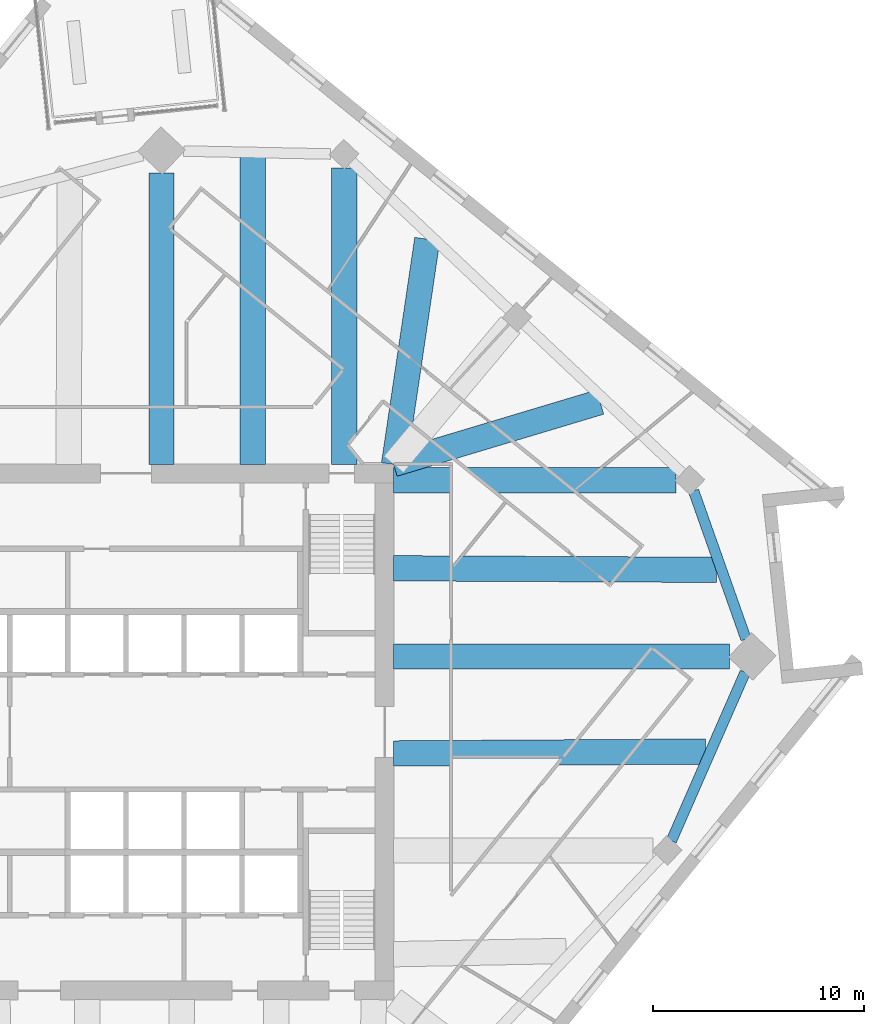
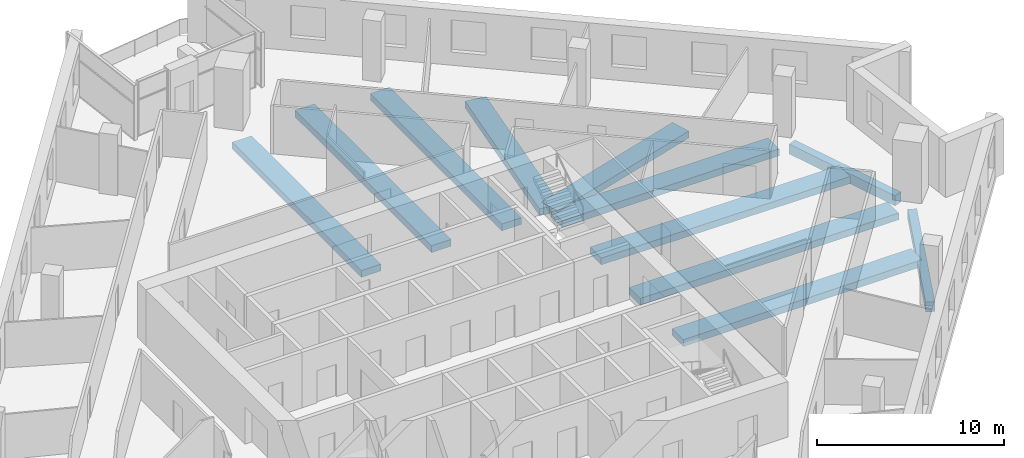
# One storey, part 3 of 14: 11 beams.
"""IFC4 building model written with IfcOpenShell, lengths in metres."""

from ifc_helpers import new_model, si_unit, direction, frame, origin, origin_2d, place, context, subcontext, project, spatial, rectangle, extrude, material, material_profile, profile_set, type_object, element, save


model = new_model("IFC4")

# Units and contexts
model_context = context("Model", 3, precision=1e-05, world=origin(), true_north=direction((0.0, 1.0)))
body_context = subcontext(model_context, "Body", "Model", "MODEL_VIEW")
ifc_project = project(units=[si_unit("LENGTHUNIT", "METRE"), si_unit("AREAUNIT", "SQUARE_METRE"), si_unit("VOLUMEUNIT", "CUBIC_METRE"), si_unit("PLANEANGLEUNIT", "RADIAN"), si_unit("MASSUNIT", "GRAM", prefix="KILO")], contexts=[model_context])

# Site, building, storey
site_placement = place(None, origin())
site = spatial("IfcSite", under=ifc_project, at=site_placement, CompositionType="ELEMENT")
building_placement = place(site_placement, origin())
building = spatial("IfcBuilding", under=site, at=building_placement, Name="Dilmun Exchange Tower", CompositionType="ELEMENT")
storey_placement = place(building_placement, frame((0.0, 0.0, 229.300048828125)))
storey = spatial("IfcBuildingStorey", under=building, at=storey_placement, Name="L54", CompositionType="ELEMENT", Elevation=229.300048828125)

# Beams
ifc_material = material(Name="Concrete C40/50", Category="concrete")
ifc_material_profile_1 = material_profile(ifc_material, rectangle(XDim=1.199951171875, YDim=0.449951171875, at=origin_2d()), Name="1200 x 450")
ifc_profile_set_1 = profile_set([ifc_material_profile_1], Name="Concrete C40/50")
beam_type_1 = type_object("IfcBeamType", Name="RC band beam 1200 x 450 C40/50", PredefinedType="BEAM", material=ifc_profile_set_1)
beam_1_placement = place(storey_placement, frame((1.68505859375, 26.465576171875, -0.705078125), z_axis=(0.0, -1.0, 0.0), x_axis=(1.0, 0.0, 0.0)))
element("IfcBeam", 1, at=beam_1_placement, inside=storey, type_object=beam_type_1, Name="Band beam 1", PredefinedType="BEAM", context=body_context, shape_type="SweptSolid", body=[
    extrude(rectangle(XDim=1.199951171875, YDim=0.449951171875, at=origin_2d()), origin(), (0.0, 0.0, 1.0), 13.79248046875),
])
beam_2_placement = place(storey_placement, frame((28.586669921875, 3.58203125, -0.705078125), z_axis=(-1.0, 0.0, 0.0), x_axis=(0.0, -1.0, 0.0)))
element("IfcBeam", 2, at=beam_2_placement, inside=storey, type_object=beam_type_1, Name="Band beam 13", PredefinedType="BEAM", context=body_context, shape_type="SweptSolid", body=[
    extrude(rectangle(XDim=1.199951171875, YDim=0.449951171875, at=origin_2d()), origin(), (0.0, 0.0, 1.0), 15.91357421875),
])
beam_3_placement = place(storey_placement, frame((26.0458984375, 11.930908203125, -0.705078125), z_axis=(-1.0, 0.0, 0.0), x_axis=(0.0, -1.0, 0.0)))
element("IfcBeam", 3, at=beam_3_placement, inside=storey, type_object=beam_type_1, Name="Band beam 14", PredefinedType="BEAM", context=body_context, shape_type="SweptSolid", body=[
    extrude(rectangle(XDim=1.199951171875, YDim=0.449951171875, at=origin_2d()), origin(), (0.0, 0.0, 1.0), 13.372802734375),
])
beam_4_placement = place(storey_placement, frame((10.3330078125, 26.703857421875, -0.705078125), z_axis=(0.0, -1.0, 0.0), x_axis=(1.0, 0.0, 0.0)))
element("IfcBeam", 4, at=beam_4_placement, inside=storey, type_object=beam_type_1, Name="Band beam 16", PredefinedType="BEAM", context=body_context, shape_type="SweptSolid", body=[
    extrude(rectangle(XDim=1.199951171875, YDim=0.449951171875, at=origin_2d()), origin(), (0.0, 0.0, 1.0), 14.03076171875),
])
beam_5_placement = place(storey_placement, frame((27.441650390625, -0.924072265625, -0.60498046875), z_axis=(-0.999981696912, -0.006050276087, 0.0), x_axis=(0.006050276087, -0.999981696912, 0.0)))
element("IfcBeam", 5, at=beam_5_placement, inside=storey, type_object=beam_type_1, Name="Band beam 28", PredefinedType="BEAM", context=body_context, shape_type="SweptSolid", body=[
    extrude(rectangle(XDim=1.199951171875, YDim=0.449951171875, at=origin_2d()), origin(), (0.0, 0.0, 1.0), 14.768798828125),
])
beam_6_placement = place(storey_placement, frame((27.972412109375, 7.68212890625, -0.60498046875), z_axis=(-0.99998815601, 0.004867015408, 0.0), x_axis=(-0.004867015408, -0.99998815601, 0.0)))
element("IfcBeam", 6, at=beam_6_placement, inside=storey, type_object=beam_type_1, Name="Band beam 29", PredefinedType="BEAM", context=body_context, shape_type="SweptSolid", body=[
    extrude(rectangle(XDim=1.199951171875, YDim=0.449951171875, at=origin_2d()), origin(), (0.0, 0.0, 1.0), 15.299560546875),
])
beam_7_placement = place(storey_placement, frame((22.4599609375, 15.626708984375, -0.60498046875), z_axis=(-0.957849959988, -0.287268957862, 0.0), x_axis=(0.287268957862, -0.957849959988, 0.0)))
element("IfcBeam", 7, at=beam_7_placement, inside=storey, type_object=beam_type_1, Name="Band beam 30", PredefinedType="BEAM", context=body_context, shape_type="SweptSolid", body=[
    extrude(rectangle(XDim=1.199951171875, YDim=0.449951171875, at=origin_2d()), origin(), (0.0, 0.0, 1.0), 10.21630859375),
])
beam_8_placement = place(storey_placement, frame((14.2734375, 23.34326171875, -0.60498046875), z_axis=(-0.146268101323, -0.989244986106, 0.0), x_axis=(0.989244986106, -0.146268101323, 0.0)))
element("IfcBeam", 8, at=beam_8_placement, inside=storey, type_object=beam_type_1, Name="Band beam 31", PredefinedType="BEAM", context=body_context, shape_type="SweptSolid", body=[
    extrude(rectangle(XDim=1.199951171875, YDim=0.449951171875, at=origin_2d()), origin(), (0.0, 0.0, 1.0), 10.785888671875),
])
beam_9_placement = place(storey_placement, frame((6.00439453125, 27.22802734375, -0.60498046875), z_axis=(0.000318701025, -0.999999949215, 0.0), x_axis=(0.999999949215, 0.000318701025, 0.0)))
element("IfcBeam", 9, at=beam_9_placement, inside=storey, type_object=beam_type_1, Name="Band beam 32", PredefinedType="BEAM", context=body_context, shape_type="SweptSolid", body=[
    extrude(rectangle(XDim=1.199951171875, YDim=0.449951171875, at=origin_2d()), origin(), (0.0, 0.0, 1.0), 14.554931640625),
])
ifc_material_profile_2 = material_profile(ifc_material, rectangle(XDim=0.5, YDim=0.64990234375, at=origin_2d()), Name="500 x 650")
ifc_profile_set_2 = profile_set([ifc_material_profile_2], Name="Concrete C40/50")
beam_type_2 = type_object("IfcBeamType", Name="RC ring beam 500 x 650 C40/50", PredefinedType="SPANDREL", material=ifc_profile_set_2)
beam_10_placement = place(storey_placement, frame((25.835205078125, -5.1474609375, -0.705078125), z_axis=(0.401239440722, 0.915973204416, 0.0), x_axis=(-0.915973204416, 0.401239440722, 0.0)))
element("IfcBeam", 10, at=beam_10_placement, inside=storey, type_object=beam_type_2, Name="Ring beam 12", PredefinedType="SPANDREL", context=body_context, shape_type="SweptSolid", body=[
    extrude(rectangle(XDim=0.5, YDim=0.64990234375, at=origin_2d()), origin(), (0.0, 0.0, 1.0), 8.707763671875),
])
beam_11_placement = place(storey_placement, frame((29.367919921875, 4.404541015625, -0.705078125), z_axis=(-0.333423578623, 0.942777130195, 0.0), x_axis=(-0.942777130195, -0.333423578623, 0.0)))
element("IfcBeam", 11, at=beam_11_placement, inside=storey, type_object=beam_type_2, Name="Ring beam 13", PredefinedType="SPANDREL", context=body_context, shape_type="SweptSolid", body=[
    extrude(rectangle(XDim=0.5, YDim=0.64990234375, at=origin_2d()), origin(), (0.0, 0.0, 1.0), 7.4482421875),
])

save(model, "model.ifc")
